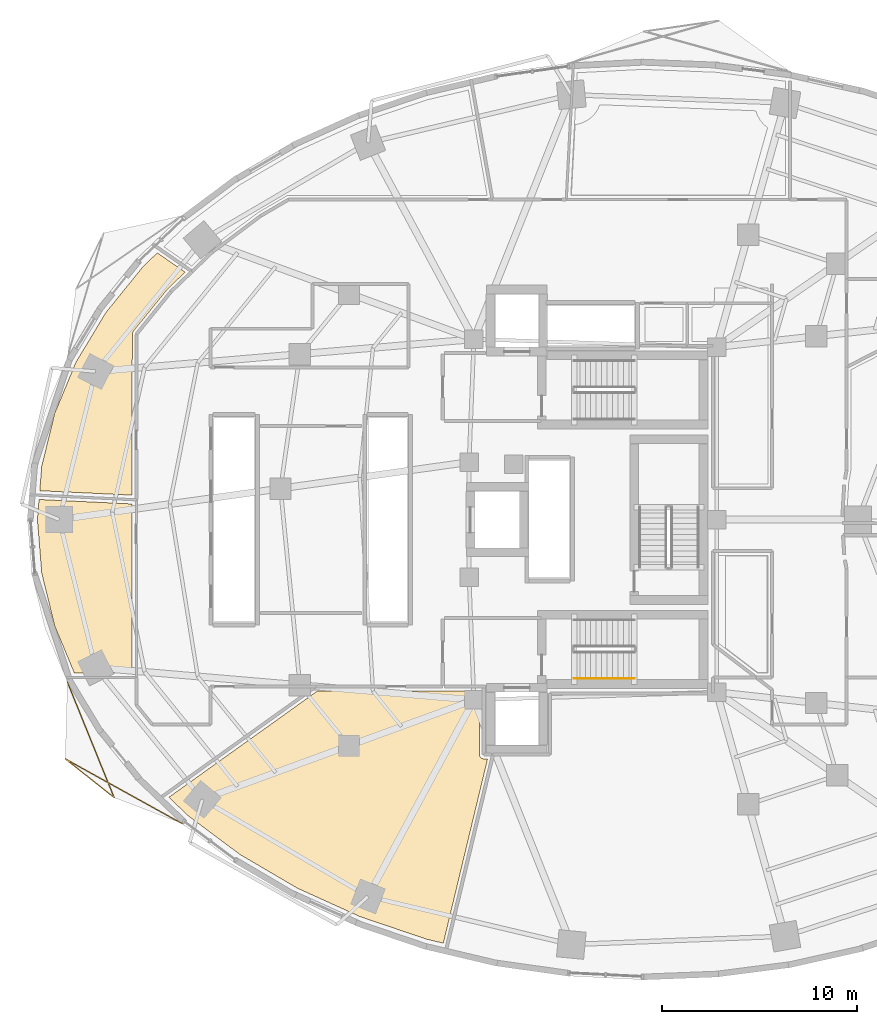
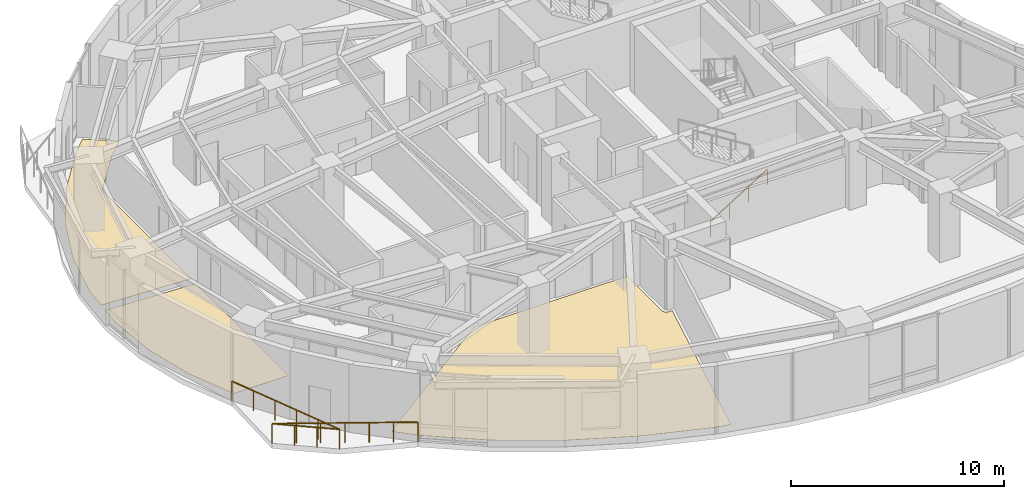
# One storey, part 13 of 15: 3 coverings, 2 railings.
"""IFC4 building model written with IfcOpenShell, lengths in metres."""

from ifc_helpers import new_model, si_unit, direction, frame, origin, origin_2d, place, context, subcontext, project, spatial, polyline, rectangle, outline, extrude, material, layer, layer_set, type_object, element, save


model = new_model("IFC4")

# Units and contexts
model_context = context("Model", 3, precision=1e-05, world=origin(), true_north=direction((0.0, 1.0)))
body_context = subcontext(model_context, "Body", "Model", "MODEL_VIEW")
ifc_project = project(units=[si_unit("LENGTHUNIT", "METRE"), si_unit("AREAUNIT", "SQUARE_METRE"), si_unit("VOLUMEUNIT", "CUBIC_METRE"), si_unit("PLANEANGLEUNIT", "RADIAN"), si_unit("MASSUNIT", "GRAM", prefix="KILO")], contexts=[model_context])

# Site, building, storey
site_placement = place(None, origin())
site = spatial("IfcSite", under=ifc_project, at=site_placement, CompositionType="ELEMENT")
building_placement = place(site_placement, origin())
building = spatial("IfcBuilding", under=site, at=building_placement, Name="Korentha Bioscience Tower", CompositionType="ELEMENT")
storey_placement = place(building_placement, frame((0.0, 0.0, 30.0)))
storey = spatial("IfcBuildingStorey", under=building, at=storey_placement, Name="L06", CompositionType="ELEMENT", Elevation=30.0)

# Railings
ifc_material_1 = material(Name="Stainless Steel 304", Category="steel")
railing_type_1 = type_object("IfcRailingType", Name="Brushed Stainless Stair Handrail 900", PredefinedType="HANDRAIL", material=ifc_material_1)
railing_1_placement = place(storey_placement, frame((30.25, 18.85009765625, 0.175048828125)))
element("IfcRailing", 1, at=railing_1_placement, inside=storey, type_object=railing_type_1, Name="L06 ST-2 stair handrail 1", PredefinedType="HANDRAIL", context=body_context, shape_type="SweptSolid", body=[
    extrude(rectangle(XDim=0.048095703125, YDim=0.048095703125, at=origin_2d()), frame((0.0, 0.0, 0.8759765625), z_axis=(0.847998304005, 0.0, 0.529998940003), x_axis=(0.0, 1.0, 0.0)), (0.0, 0.0, 1.0), 3.632080078125),
    extrude(rectangle(XDim=0.0419921875, YDim=0.0419921875, at=origin_2d()), origin(), (0.0, 0.0, 1.0), 0.851806640625),
    extrude(rectangle(XDim=0.0419921875, YDim=0.0419921875, at=origin_2d()), frame((1.026611328125, 0.0, 0.6416015625)), (0.0, 0.0, 1.0), 0.851806640625),
    extrude(rectangle(XDim=0.0419921875, YDim=0.0419921875, at=origin_2d()), frame((2.053466796875, 0.0, 1.283447265625)), (0.0, 0.0, 1.0), 0.851806640625),
    extrude(rectangle(XDim=0.0419921875, YDim=0.0419921875, at=origin_2d()), frame((3.080078125, 0.0, 1.925048828125)), (0.0, 0.0, 1.0), 0.851806640625),
])
ifc_material_2 = material(Name="Laminated Tempered Safety Glass", Category="glass")
railing_type_2 = type_object("IfcRailingType", Name="Laminated Glass Balcony Guardrail 1150", PredefinedType="BALUSTRADE", material=ifc_material_2)
railing_2_placement = place(storey_placement, frame((4.246337890625, 18.6708984375, 0.0)))
element("IfcRailing", 2, at=railing_2_placement, inside=storey, type_object=railing_type_2, Name="L06 Balcony Guardrail 03", PredefinedType="BALUSTRADE", context=body_context, shape_type="SweptSolid", body=[
    extrude(rectangle(XDim=0.048095703125, YDim=0.048095703125, at=origin_2d()), frame((0.0, 0.0, 1.1259765625), z_axis=(0.375353526565, -0.926881723897, 0.0), x_axis=(0.926881723897, 0.375353526565, 0.0)), (0.0, 0.0, 1.0), 6.399658203125),
    extrude(rectangle(XDim=0.048095703125, YDim=0.048095703125, at=origin_2d()), frame((2.402099609375, -5.931640625, 1.1259765625), z_axis=(-0.783832620515, 0.620972159615, 0.0), x_axis=(-0.620972159615, -0.783832620515, 0.0)), (0.0, 0.0, 1.0), 3.205078125),
    extrude(rectangle(XDim=0.048095703125, YDim=0.048095703125, at=origin_2d()), frame((-0.110107421875, -3.94140625, 1.1259765625), z_axis=(0.874749012384, -0.484576274011, 0.0), x_axis=(0.484576274011, 0.874749012384, 0.0)), (0.0, 0.0, 1.0), 6.843017578125),
    extrude(rectangle(XDim=0.0419921875, YDim=0.0419921875, at=origin_2d()), origin(), (0.0, 0.0, 1.0), 1.101806640625),
    extrude(rectangle(XDim=0.0419921875, YDim=0.0419921875, at=origin_2d()), frame((0.48046875, -1.186279296875, 0.0)), (0.0, 0.0, 1.0), 1.101806640625),
    extrude(rectangle(XDim=0.0419921875, YDim=0.0419921875, at=origin_2d()), frame((0.9609375, -2.37255859375, 0.0)), (0.0, 0.0, 1.0), 1.101806640625),
    extrude(rectangle(XDim=0.0419921875, YDim=0.0419921875, at=origin_2d()), frame((1.441162109375, -3.55908203125, 0.0)), (0.0, 0.0, 1.0), 1.101806640625),
    extrude(rectangle(XDim=0.0419921875, YDim=0.0419921875, at=origin_2d()), frame((1.921630859375, -4.745361328125, 0.0)), (0.0, 0.0, 1.0), 1.101806640625),
    extrude(rectangle(XDim=0.0419921875, YDim=0.0419921875, at=origin_2d()), frame((2.402099609375, -5.931640625, 0.0)), (0.0, 0.0, 1.0), 1.101806640625),
    extrude(rectangle(XDim=0.0419921875, YDim=0.0419921875, at=origin_2d()), frame((1.564697265625, -5.268310546875, 0.0)), (0.0, 0.0, 1.0), 1.101806640625),
    extrude(rectangle(XDim=0.0419921875, YDim=0.0419921875, at=origin_2d()), frame((0.727294921875, -4.604736328125, 0.0)), (0.0, 0.0, 1.0), 1.101806640625),
    extrude(rectangle(XDim=0.0419921875, YDim=0.0419921875, at=origin_2d()), frame((-0.110107421875, -3.94140625, 0.0)), (0.0, 0.0, 1.0), 1.101806640625),
    extrude(rectangle(XDim=0.0419921875, YDim=0.0419921875, at=origin_2d()), frame((0.887451171875, -4.494140625, 0.0)), (0.0, 0.0, 1.0), 1.101806640625),
    extrude(rectangle(XDim=0.0419921875, YDim=0.0419921875, at=origin_2d()), frame((1.88525390625, -5.046630859375, 0.0)), (0.0, 0.0, 1.0), 1.101806640625),
    extrude(rectangle(XDim=0.0419921875, YDim=0.0419921875, at=origin_2d()), frame((2.8828125, -5.599365234375, 0.0)), (0.0, 0.0, 1.0), 1.101806640625),
    extrude(rectangle(XDim=0.0419921875, YDim=0.0419921875, at=origin_2d()), frame((3.88037109375, -6.152099609375, 0.0)), (0.0, 0.0, 1.0), 1.101806640625),
    extrude(rectangle(XDim=0.0419921875, YDim=0.0419921875, at=origin_2d()), frame((4.878173828125, -6.70458984375, 0.0)), (0.0, 0.0, 1.0), 1.101806640625),
    extrude(rectangle(XDim=0.0419921875, YDim=0.0419921875, at=origin_2d()), frame((5.875732421875, -7.25732421875, 0.0)), (0.0, 0.0, 1.0), 1.101806640625),
])

# Coverings
ifc_material_3 = material(Name="Chemical-Resistant Epoxy Resin", Category="polymer")
ifc_layer = layer(ifc_material_3, 0.011962890625, Name="Chemical-Resistant Epoxy Resin")
ifc_layer_set = layer_set([ifc_layer], Name="Chemical-Resistant Epoxy Resin (FL-EPX)")
covering_type = type_object("IfcCoveringType", Name="Seamless Epoxy Laboratory Flooring 12", PredefinedType="FLOORING", material=ifc_layer_set)
covering_1_placement = place(storey_placement, origin())
element("IfcCovering", 3, at=covering_1_placement, inside=storey, type_object=covering_type, Name="L06 Research Colloquium Seminar Room 02 Floor Finish", PredefinedType="FLOORING", context=body_context, shape_type="SweptSolid", body=[
    extrude(outline(polyline([(2.711669921875, 27.0), (2.79541015625, 28.031982421875), (7.570068359375, 27.80322265625), (7.570068359375, 19.1220703125), (4.610595703125, 19.1220703125), (3.600830078125, 21.53955078125), (2.9345703125, 24.251220703125), (2.711669921875, 27.0)])), origin(), (0.0, 0.0, 1.0), 0.011962890625),
])
covering_2_placement = place(storey_placement, origin())
element("IfcCovering", 4, at=covering_2_placement, inside=storey, type_object=covering_type, Name="L06 Biospecimen Archive Store 04 Floor Finish", PredefinedType="FLOORING", context=body_context, shape_type="SweptSolid", body=[
    extrude(outline(polyline([(16.0458984375, 8.09521484375), (13.09619140625, 9.826171875), (10.451904296875, 11.8037109375), (9.451416015625, 12.7578125), (17.07763671875, 18.2119140625), (25.3798828125, 18.219970703125), (25.38232421875, 14.92138671875), (25.424072265625, 14.82080078125), (25.50830078125, 14.75146484375), (25.5927734375, 14.730224609375), (25.79931640625, 14.72998046875), (23.52978515625, 5.275634765625), (22.687255859375, 5.474609375), (19.258544921875, 6.63720703125), (16.0458984375, 8.09521484375)])), origin(), (0.0, 0.0, 1.0), 0.011962890625),
])
covering_3_placement = place(storey_placement, origin())
element("IfcCovering", 5, at=covering_3_placement, inside=storey, type_object=covering_type, Name="L06 Instrument Calibration Workshop 16 Floor Finish", PredefinedType="FLOORING", context=body_context, shape_type="SweptSolid", body=[
    extrude(outline(polyline([(3.600830078125, 32.46044921875), (4.702392578125, 35.097900390625), (6.225830078125, 37.623779296875), (8.15087890625, 40.001953125), (8.86083984375, 40.678955078125), (10.28662109375, 39.689453125), (9.4033203125, 38.84619140625), (7.62109375, 36.64599609375), (7.57666015625, 36.55615234375), (7.570068359375, 28.253662109375), (2.831787109375, 28.480712890625), (2.9345703125, 29.748779296875), (3.600830078125, 32.46044921875)])), origin(), (0.0, 0.0, 1.0), 0.011962890625),
])

save(model, "model.ifc")
